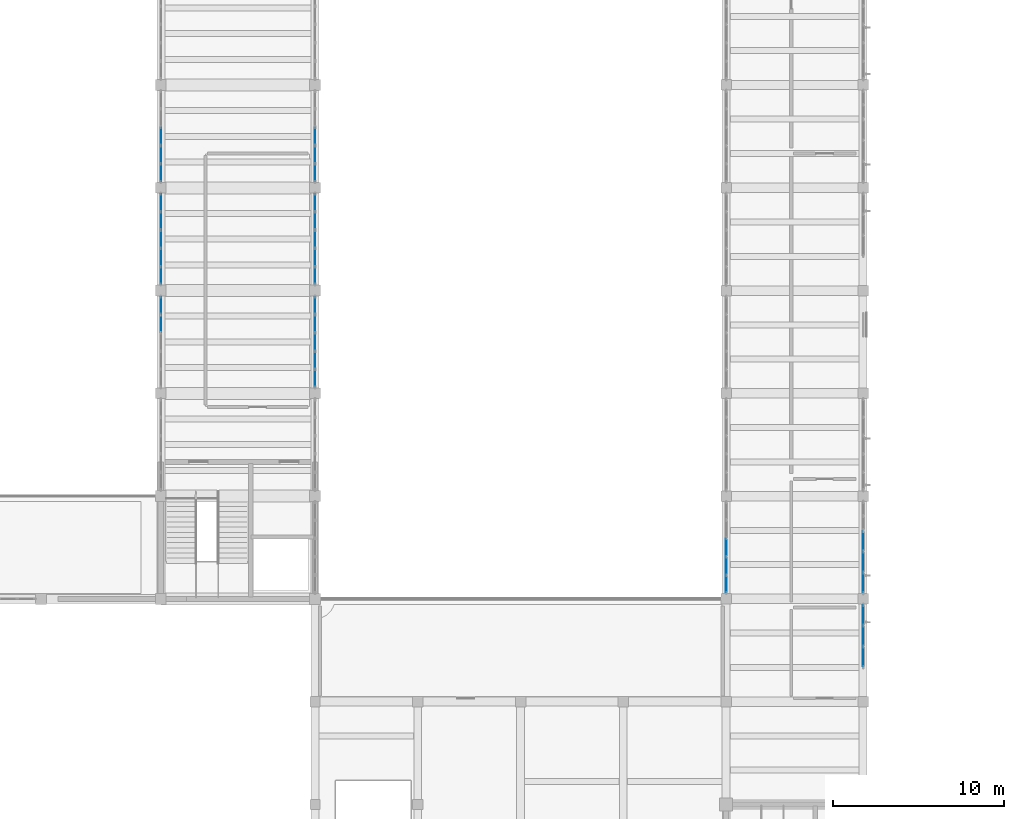
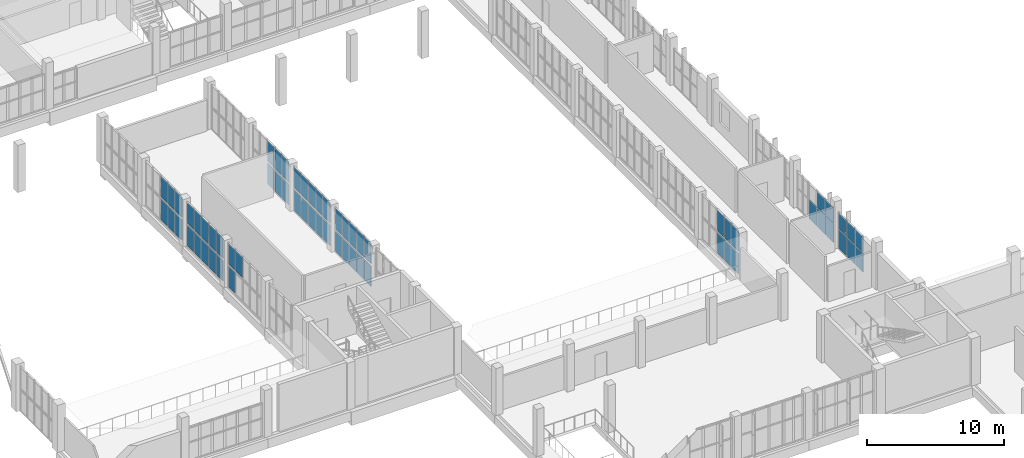
# One storey, part 47 of 85: 62 plates, 16 elements without a shape of their own.
"""IFC4 building model written with IfcOpenShell, lengths in metres."""

from ifc_helpers import new_model, si_unit, direction, frame, origin, origin_2d, place, context, subcontext, project, spatial, rectangle, extrude, material, layer, layer_set, type_object, element, aggregate, save


model = new_model("IFC4")

# Units and contexts
model_context = context("Model", 3, precision=1e-05, world=origin(), true_north=direction((0.0, 1.0)))
body_context = subcontext(model_context, "Body", "Model", "MODEL_VIEW")
ifc_project = project(units=[si_unit("LENGTHUNIT", "METRE"), si_unit("AREAUNIT", "SQUARE_METRE"), si_unit("VOLUMEUNIT", "CUBIC_METRE"), si_unit("PLANEANGLEUNIT", "RADIAN"), si_unit("MASSUNIT", "GRAM", prefix="KILO")], contexts=[model_context])

# Site, building, storey
site_placement = place(None, origin())
site = spatial("IfcSite", under=ifc_project, at=site_placement, CompositionType="ELEMENT")
building_placement = place(site_placement, origin())
building = spatial("IfcBuilding", under=site, at=building_placement, Name="Solvane Community Centre", CompositionType="ELEMENT")
storey_placement = place(building_placement, frame((0.0, 0.0, 5.39990234375)))
storey = spatial("IfcBuildingStorey", under=building, at=storey_placement, Name="L01", CompositionType="ELEMENT", Elevation=5.39990234375)

# Curtain wall, plates
ifc_material_1 = material(Name="Anodised bronze aluminium AW-6063 T6", Category="aluminium")
ifc_layer_1 = layer(ifc_material_1, 0.18994140625)
ifc_layer_set_1 = layer_set([ifc_layer_1], Name="Anodised bronze aluminium AW-6063 T6")
curtain_wall_type_1 = type_object("IfcCurtainWallType", Name="Boulevard Bronze Vision Curtain Wall [37x32dm]", PredefinedType="NOTDEFINED", material=ifc_layer_set_1)
curtain_wall_1_placement = place(storey_placement, origin())
curtain_wall_1 = element("IfcCurtainWall", 1, at=curtain_wall_1_placement, inside=storey, type_object=curtain_wall_type_1, Name="Curtain Wall CW-L01-680_460-109", PredefinedType="NOTDEFINED")
ifc_material_2 = material(Name="Tempered low-E double glazing", Category="glass")
ifc_layer_2 = layer(ifc_material_2, 0.028076171875)
ifc_layer_set_2 = layer_set([ifc_layer_2], Name="Tempered low-E double glazing")
plate_type_1 = type_object("IfcPlateType", Name="Low-E Vision Glazing Panel 28mm [37x32dm]", PredefinedType="CURTAIN_PANEL", material=ifc_layer_set_2)
plate_1_placement = place(storey_placement, frame((68.0, 45.37158203125, 0.06005859375), z_axis=(0.0, 0.0, 1.0), x_axis=(0.0, -1.0, 0.0)))
plate_1 = element("IfcPlate", 2, at=plate_1_placement, type_object=plate_type_1, Name="CW02-37x32 panel 1.1", PredefinedType="CURTAIN_PANEL", context=body_context, shape_type="SweptSolid", body=[
    extrude(rectangle(XDim=1.13671875, YDim=0.028076171875, at=origin_2d()), origin(), (0.0, 0.0, 1.0), 1.695068359375),
])
plate_2_placement = place(storey_placement, frame((68.0, 44.159912109375, 0.06005859375), z_axis=(0.0, 0.0, 1.0), x_axis=(0.0, -1.0, 0.0)))
plate_2 = element("IfcPlate", 3, at=plate_2_placement, type_object=plate_type_1, Name="CW02-37x32 panel 2.1", PredefinedType="CURTAIN_PANEL", context=body_context, shape_type="SweptSolid", body=[
    extrude(rectangle(XDim=1.166748046875, YDim=0.028076171875, at=origin_2d()), origin(), (0.0, 0.0, 1.0), 1.695068359375),
])
plate_3_placement = place(storey_placement, frame((68.0, 44.159912109375, 1.81494140625), z_axis=(0.0, 0.0, 1.0), x_axis=(0.0, -1.0, 0.0)))
plate_3 = element("IfcPlate", 4, at=plate_3_placement, type_object=plate_type_1, Name="CW02-37x32 panel 2.2", PredefinedType="CURTAIN_PANEL", context=body_context, shape_type="SweptSolid", body=[
    extrude(rectangle(XDim=1.166748046875, YDim=0.028076171875, at=origin_2d()), origin(), (0.0, 0.0, 1.0), 1.3701171875),
])
plate_4_placement = place(storey_placement, frame((68.0, 42.9482421875, 0.06005859375), z_axis=(0.0, 0.0, 1.0), x_axis=(0.0, -1.0, 0.0)))
plate_4 = element("IfcPlate", 5, at=plate_4_placement, type_object=plate_type_1, Name="CW02-37x32 panel 3.1", PredefinedType="CURTAIN_PANEL", context=body_context, shape_type="SweptSolid", body=[
    extrude(rectangle(XDim=1.13671875, YDim=0.028076171875, at=origin_2d()), origin(), (0.0, 0.0, 1.0), 1.695068359375),
])
plate_5_placement = place(storey_placement, frame((68.0, 42.9482421875, 1.81494140625), z_axis=(0.0, 0.0, 1.0), x_axis=(0.0, -1.0, 0.0)))
plate_5 = element("IfcPlate", 6, at=plate_5_placement, type_object=plate_type_1, Name="CW02-37x32 panel 3.2", PredefinedType="CURTAIN_PANEL", context=body_context, shape_type="SweptSolid", body=[
    extrude(rectangle(XDim=1.13671875, YDim=0.028076171875, at=origin_2d()), origin(), (0.0, 0.0, 1.0), 1.3701171875),
])
aggregate(curtain_wall_1, [plate_1, plate_2, plate_3, plate_4, plate_5])

curtain_wall_2_placement = place(storey_placement, origin())
curtain_wall_2 = element("IfcCurtainWall", 7, at=curtain_wall_2_placement, inside=storey, type_object=curtain_wall_type_1, Name="Curtain Wall CW-L01-680_417-110", PredefinedType="NOTDEFINED")
plate_6_placement = place(storey_placement, frame((68.0, 41.0517578125, 0.06005859375), z_axis=(0.0, 0.0, 1.0), x_axis=(0.0, -1.0, 0.0)))
plate_6 = element("IfcPlate", 8, at=plate_6_placement, type_object=plate_type_1, Name="CW02-37x32 panel 1.1", PredefinedType="CURTAIN_PANEL", context=body_context, shape_type="SweptSolid", body=[
    extrude(rectangle(XDim=1.13671875, YDim=0.028076171875, at=origin_2d()), origin(), (0.0, 0.0, 1.0), 1.695068359375),
])
plate_7_placement = place(storey_placement, frame((68.0, 41.0517578125, 1.81494140625), z_axis=(0.0, 0.0, 1.0), x_axis=(0.0, -1.0, 0.0)))
plate_7 = element("IfcPlate", 9, at=plate_7_placement, type_object=plate_type_1, Name="CW02-37x32 panel 1.2", PredefinedType="CURTAIN_PANEL", context=body_context, shape_type="SweptSolid", body=[
    extrude(rectangle(XDim=1.13671875, YDim=0.028076171875, at=origin_2d()), origin(), (0.0, 0.0, 1.0), 1.3701171875),
])
plate_8_placement = place(storey_placement, frame((68.0, 39.840087890625, 0.06005859375), z_axis=(0.0, 0.0, 1.0), x_axis=(0.0, -1.0, 0.0)))
plate_8 = element("IfcPlate", 10, at=plate_8_placement, type_object=plate_type_1, Name="CW02-37x32 panel 2.1", PredefinedType="CURTAIN_PANEL", context=body_context, shape_type="SweptSolid", body=[
    extrude(rectangle(XDim=1.166748046875, YDim=0.028076171875, at=origin_2d()), origin(), (0.0, 0.0, 1.0), 1.695068359375),
])
plate_9_placement = place(storey_placement, frame((68.0, 39.840087890625, 1.81494140625), z_axis=(0.0, 0.0, 1.0), x_axis=(0.0, -1.0, 0.0)))
plate_9 = element("IfcPlate", 11, at=plate_9_placement, type_object=plate_type_1, Name="CW02-37x32 panel 2.2", PredefinedType="CURTAIN_PANEL", context=body_context, shape_type="SweptSolid", body=[
    extrude(rectangle(XDim=1.166748046875, YDim=0.028076171875, at=origin_2d()), origin(), (0.0, 0.0, 1.0), 1.3701171875),
])
plate_10_placement = place(storey_placement, frame((68.0, 38.62841796875, 0.06005859375), z_axis=(0.0, 0.0, 1.0), x_axis=(0.0, -1.0, 0.0)))
plate_10 = element("IfcPlate", 12, at=plate_10_placement, type_object=plate_type_1, Name="CW02-37x32 panel 3.1", PredefinedType="CURTAIN_PANEL", context=body_context, shape_type="SweptSolid", body=[
    extrude(rectangle(XDim=1.13671875, YDim=0.028076171875, at=origin_2d()), origin(), (0.0, 0.0, 1.0), 1.695068359375),
])
plate_11_placement = place(storey_placement, frame((68.0, 38.62841796875, 1.81494140625), z_axis=(0.0, 0.0, 1.0), x_axis=(0.0, -1.0, 0.0)))
plate_11 = element("IfcPlate", 13, at=plate_11_placement, type_object=plate_type_1, Name="CW02-37x32 panel 3.2", PredefinedType="CURTAIN_PANEL", context=body_context, shape_type="SweptSolid", body=[
    extrude(rectangle(XDim=1.13671875, YDim=0.028076171875, at=origin_2d()), origin(), (0.0, 0.0, 1.0), 1.3701171875),
])
aggregate(curtain_wall_2, [plate_6, plate_7, plate_8, plate_9, plate_10, plate_11])

ifc_layer_3 = layer(ifc_material_1, 0.179931640625)
ifc_layer_set_3 = layer_set([ifc_layer_3], Name="Anodised bronze aluminium AW-6063 T6")
curtain_wall_type_2 = type_object("IfcCurtainWallType", Name="Hall Translucent Upper Curtain Wall [53x19dm]", PredefinedType="NOTDEFINED", material=ifc_layer_set_3)
curtain_wall_3_placement = place(storey_placement, origin())
curtain_wall_3 = element("IfcCurtainWall", 14, at=curtain_wall_3_placement, inside=storey, type_object=curtain_wall_type_2, Name="Curtain Wall CW-L01-360_543-043", PredefinedType="NOTDEFINED")
ifc_material_3 = material(Name="Translucent polycarbonate panel")
ifc_layer_4 = layer(ifc_material_3, 0.028076171875)
ifc_layer_set_4 = layer_set([ifc_layer_4], Name="Translucent polycarbonate panel")
plate_type_2 = type_object("IfcPlateType", Name="Translucent Polycarbonate Panel 28mm [53x19dm]", PredefinedType="CURTAIN_PANEL", material=ifc_layer_set_4)
plate_12_placement = place(storey_placement, frame((36.0, 54.87890625, 0.06005859375), z_axis=(0.0, 0.0, 1.0), x_axis=(0.0, 1.0, 0.0)))
plate_12 = element("IfcPlate", 15, at=plate_12_placement, type_object=plate_type_2, Name="CW01-53x19 panel 1.1", PredefinedType="CURTAIN_PANEL", context=body_context, shape_type="SweptSolid", body=[
    extrude(rectangle(XDim=0.97802734375, YDim=0.028076171875, at=origin_2d()), origin(), (0.0, 0.0, 1.0), 1.830078125),
])
plate_13_placement = place(storey_placement, frame((36.0, 55.931884765625, 0.06005859375), z_axis=(0.0, 0.0, 1.0), x_axis=(0.0, 1.0, 0.0)))
plate_13 = element("IfcPlate", 16, at=plate_13_placement, type_object=plate_type_2, Name="CW01-53x19 panel 2.1", PredefinedType="CURTAIN_PANEL", context=body_context, shape_type="SweptSolid", body=[
    extrude(rectangle(XDim=1.008056640625, YDim=0.028076171875, at=origin_2d()), origin(), (0.0, 0.0, 1.0), 1.830078125),
])
plate_14_placement = place(storey_placement, frame((36.0, 57.0, 0.06005859375), z_axis=(0.0, 0.0, 1.0), x_axis=(0.0, 1.0, 0.0)))
plate_14 = element("IfcPlate", 17, at=plate_14_placement, type_object=plate_type_2, Name="CW01-53x19 panel 3.1", PredefinedType="CURTAIN_PANEL", context=body_context, shape_type="SweptSolid", body=[
    extrude(rectangle(XDim=1.008056640625, YDim=0.028076171875, at=origin_2d()), origin(), (0.0, 0.0, 1.0), 1.830078125),
])
plate_15_placement = place(storey_placement, frame((36.0, 58.068115234375, 0.06005859375), z_axis=(0.0, 0.0, 1.0), x_axis=(0.0, 1.0, 0.0)))
plate_15 = element("IfcPlate", 18, at=plate_15_placement, type_object=plate_type_2, Name="CW01-53x19 panel 4.1", PredefinedType="CURTAIN_PANEL", context=body_context, shape_type="SweptSolid", body=[
    extrude(rectangle(XDim=1.008056640625, YDim=0.028076171875, at=origin_2d()), origin(), (0.0, 0.0, 1.0), 1.830078125),
])
plate_16_placement = place(storey_placement, frame((36.0, 59.12109375, 0.06005859375), z_axis=(0.0, 0.0, 1.0), x_axis=(0.0, 1.0, 0.0)))
plate_16 = element("IfcPlate", 19, at=plate_16_placement, type_object=plate_type_2, Name="CW01-53x19 panel 5.1", PredefinedType="CURTAIN_PANEL", context=body_context, shape_type="SweptSolid", body=[
    extrude(rectangle(XDim=0.97802734375, YDim=0.028076171875, at=origin_2d()), origin(), (0.0, 0.0, 1.0), 1.830078125),
])
aggregate(curtain_wall_3, [plate_12, plate_13, plate_14, plate_15, plate_16])

# Curtain wall, plate
curtain_wall_4_placement = place(storey_placement, origin())
curtain_wall_4 = element("IfcCurtainWall", 20, at=curtain_wall_4_placement, inside=storey, type_object=curtain_wall_type_2, Name="Curtain Wall CW-L01-270_597-047", PredefinedType="NOTDEFINED")
plate_17_placement = place(storey_placement, frame((27.0, 59.12109375, 0.06005859375), z_axis=(0.0, 0.0, 1.0), x_axis=(0.0, -1.0, 0.0)))
plate_17 = element("IfcPlate", 21, at=plate_17_placement, type_object=plate_type_2, Name="CW01-53x19 panel 1.1", PredefinedType="CURTAIN_PANEL", context=body_context, shape_type="SweptSolid", body=[
    extrude(rectangle(XDim=0.97802734375, YDim=0.028076171875, at=origin_2d()), origin(), (0.0, 0.0, 1.0), 1.830078125),
])
aggregate(curtain_wall_4, [plate_17])

# Curtain wall, plates
curtain_wall_5_placement = place(storey_placement, origin())
curtain_wall_5 = element("IfcCurtainWall", 22, at=curtain_wall_5_placement, inside=storey, type_object=curtain_wall_type_2, Name="Curtain Wall CW-L01-360_603-049", PredefinedType="NOTDEFINED")
plate_18_placement = place(storey_placement, frame((36.0, 60.87890625, 0.06005859375), z_axis=(0.0, 0.0, 1.0), x_axis=(0.0, 1.0, 0.0)))
plate_18 = element("IfcPlate", 23, at=plate_18_placement, type_object=plate_type_2, Name="CW01-53x19 panel 1.1", PredefinedType="CURTAIN_PANEL", context=body_context, shape_type="SweptSolid", body=[
    extrude(rectangle(XDim=0.97802734375, YDim=0.028076171875, at=origin_2d()), origin(), (0.0, 0.0, 1.0), 1.830078125),
])
plate_19_placement = place(storey_placement, frame((36.0, 61.931884765625, 0.06005859375), z_axis=(0.0, 0.0, 1.0), x_axis=(0.0, 1.0, 0.0)))
plate_19 = element("IfcPlate", 24, at=plate_19_placement, type_object=plate_type_2, Name="CW01-53x19 panel 2.1", PredefinedType="CURTAIN_PANEL", context=body_context, shape_type="SweptSolid", body=[
    extrude(rectangle(XDim=1.008056640625, YDim=0.028076171875, at=origin_2d()), origin(), (0.0, 0.0, 1.0), 1.830078125),
])
plate_20_placement = place(storey_placement, frame((36.0, 63.0, 0.06005859375), z_axis=(0.0, 0.0, 1.0), x_axis=(0.0, 1.0, 0.0)))
plate_20 = element("IfcPlate", 25, at=plate_20_placement, type_object=plate_type_2, Name="CW01-53x19 panel 3.1", PredefinedType="CURTAIN_PANEL", context=body_context, shape_type="SweptSolid", body=[
    extrude(rectangle(XDim=1.008056640625, YDim=0.028076171875, at=origin_2d()), origin(), (0.0, 0.0, 1.0), 1.830078125),
])
plate_21_placement = place(storey_placement, frame((36.0, 64.068115234375, 0.06005859375), z_axis=(0.0, 0.0, 1.0), x_axis=(0.0, 1.0, 0.0)))
plate_21 = element("IfcPlate", 26, at=plate_21_placement, type_object=plate_type_2, Name="CW01-53x19 panel 4.1", PredefinedType="CURTAIN_PANEL", context=body_context, shape_type="SweptSolid", body=[
    extrude(rectangle(XDim=1.008056640625, YDim=0.028076171875, at=origin_2d()), origin(), (0.0, 0.0, 1.0), 1.830078125),
])
plate_22_placement = place(storey_placement, frame((36.0, 65.12109375, 0.06005859375), z_axis=(0.0, 0.0, 1.0), x_axis=(0.0, 1.0, 0.0)))
plate_22 = element("IfcPlate", 27, at=plate_22_placement, type_object=plate_type_2, Name="CW01-53x19 panel 5.1", PredefinedType="CURTAIN_PANEL", context=body_context, shape_type="SweptSolid", body=[
    extrude(rectangle(XDim=0.97802734375, YDim=0.028076171875, at=origin_2d()), origin(), (0.0, 0.0, 1.0), 1.830078125),
])
aggregate(curtain_wall_5, [plate_18, plate_19, plate_20, plate_21, plate_22])

curtain_wall_6_placement = place(storey_placement, origin())
curtain_wall_6 = element("IfcCurtainWall", 28, at=curtain_wall_6_placement, inside=storey, type_object=curtain_wall_type_2, Name="Curtain Wall CW-L01-270_657-055", PredefinedType="NOTDEFINED")
plate_23_placement = place(storey_placement, frame((27.0, 65.12109375, 0.06005859375), z_axis=(0.0, 0.0, 1.0), x_axis=(0.0, -1.0, 0.0)))
plate_23 = element("IfcPlate", 29, at=plate_23_placement, type_object=plate_type_2, Name="CW01-53x19 panel 1.1", PredefinedType="CURTAIN_PANEL", context=body_context, shape_type="SweptSolid", body=[
    extrude(rectangle(XDim=0.97802734375, YDim=0.028076171875, at=origin_2d()), origin(), (0.0, 0.0, 1.0), 1.830078125),
])
plate_24_placement = place(storey_placement, frame((27.0, 64.068115234375, 0.06005859375), z_axis=(0.0, 0.0, 1.0), x_axis=(0.0, -1.0, 0.0)))
plate_24 = element("IfcPlate", 30, at=plate_24_placement, type_object=plate_type_2, Name="CW01-53x19 panel 2.1", PredefinedType="CURTAIN_PANEL", context=body_context, shape_type="SweptSolid", body=[
    extrude(rectangle(XDim=1.008056640625, YDim=0.028076171875, at=origin_2d()), origin(), (0.0, 0.0, 1.0), 1.830078125),
])
plate_25_placement = place(storey_placement, frame((27.0, 63.0, 0.06005859375), z_axis=(0.0, 0.0, 1.0), x_axis=(0.0, -1.0, 0.0)))
plate_25 = element("IfcPlate", 31, at=plate_25_placement, type_object=plate_type_2, Name="CW01-53x19 panel 3.1", PredefinedType="CURTAIN_PANEL", context=body_context, shape_type="SweptSolid", body=[
    extrude(rectangle(XDim=1.008056640625, YDim=0.028076171875, at=origin_2d()), origin(), (0.0, 0.0, 1.0), 1.830078125),
])
plate_26_placement = place(storey_placement, frame((27.0, 61.931884765625, 0.06005859375), z_axis=(0.0, 0.0, 1.0), x_axis=(0.0, -1.0, 0.0)))
plate_26 = element("IfcPlate", 32, at=plate_26_placement, type_object=plate_type_2, Name="CW01-53x19 panel 4.1", PredefinedType="CURTAIN_PANEL", context=body_context, shape_type="SweptSolid", body=[
    extrude(rectangle(XDim=1.008056640625, YDim=0.028076171875, at=origin_2d()), origin(), (0.0, 0.0, 1.0), 1.830078125),
])
plate_27_placement = place(storey_placement, frame((27.0, 60.87890625, 0.06005859375), z_axis=(0.0, 0.0, 1.0), x_axis=(0.0, -1.0, 0.0)))
plate_27 = element("IfcPlate", 33, at=plate_27_placement, type_object=plate_type_2, Name="CW01-53x19 panel 5.1", PredefinedType="CURTAIN_PANEL", context=body_context, shape_type="SweptSolid", body=[
    extrude(rectangle(XDim=0.97802734375, YDim=0.028076171875, at=origin_2d()), origin(), (0.0, 0.0, 1.0), 1.830078125),
])
aggregate(curtain_wall_6, [plate_23, plate_24, plate_25, plate_26, plate_27])

curtain_wall_7_placement = place(storey_placement, origin())
curtain_wall_7 = element("IfcCurtainWall", 34, at=curtain_wall_7_placement, inside=storey, type_object=curtain_wall_type_2, Name="Curtain Wall CW-L01-360_663-057", PredefinedType="NOTDEFINED")
plate_28_placement = place(storey_placement, frame((36.0, 66.87890625, 0.06005859375), z_axis=(0.0, 0.0, 1.0), x_axis=(0.0, 1.0, 0.0)))
plate_28 = element("IfcPlate", 35, at=plate_28_placement, type_object=plate_type_2, Name="CW01-53x19 panel 1.1", PredefinedType="CURTAIN_PANEL", context=body_context, shape_type="SweptSolid", body=[
    extrude(rectangle(XDim=0.97802734375, YDim=0.028076171875, at=origin_2d()), origin(), (0.0, 0.0, 1.0), 1.830078125),
])
plate_29_placement = place(storey_placement, frame((36.0, 67.931884765625, 0.06005859375), z_axis=(0.0, 0.0, 1.0), x_axis=(0.0, 1.0, 0.0)))
plate_29 = element("IfcPlate", 36, at=plate_29_placement, type_object=plate_type_2, Name="CW01-53x19 panel 2.1", PredefinedType="CURTAIN_PANEL", context=body_context, shape_type="SweptSolid", body=[
    extrude(rectangle(XDim=1.008056640625, YDim=0.028076171875, at=origin_2d()), origin(), (0.0, 0.0, 1.0), 1.830078125),
])
plate_30_placement = place(storey_placement, frame((36.0, 69.0, 0.06005859375), z_axis=(0.0, 0.0, 1.0), x_axis=(0.0, 1.0, 0.0)))
plate_30 = element("IfcPlate", 37, at=plate_30_placement, type_object=plate_type_2, Name="CW01-53x19 panel 3.1", PredefinedType="CURTAIN_PANEL", context=body_context, shape_type="SweptSolid", body=[
    extrude(rectangle(XDim=1.008056640625, YDim=0.028076171875, at=origin_2d()), origin(), (0.0, 0.0, 1.0), 1.830078125),
])
aggregate(curtain_wall_7, [plate_28, plate_29, plate_30])

curtain_wall_8_placement = place(storey_placement, origin())
curtain_wall_8 = element("IfcCurtainWall", 38, at=curtain_wall_8_placement, inside=storey, type_object=curtain_wall_type_2, Name="Curtain Wall CW-L01-270_717-063", PredefinedType="NOTDEFINED")
plate_31_placement = place(storey_placement, frame((27.0, 69.0, 0.06005859375), z_axis=(0.0, 0.0, 1.0), x_axis=(0.0, -1.0, 0.0)))
plate_31 = element("IfcPlate", 39, at=plate_31_placement, type_object=plate_type_2, Name="CW01-53x19 panel 3.1", PredefinedType="CURTAIN_PANEL", context=body_context, shape_type="SweptSolid", body=[
    extrude(rectangle(XDim=1.008056640625, YDim=0.028076171875, at=origin_2d()), origin(), (0.0, 0.0, 1.0), 1.830078125),
])
plate_32_placement = place(storey_placement, frame((27.0, 67.931884765625, 0.06005859375), z_axis=(0.0, 0.0, 1.0), x_axis=(0.0, -1.0, 0.0)))
plate_32 = element("IfcPlate", 40, at=plate_32_placement, type_object=plate_type_2, Name="CW01-53x19 panel 4.1", PredefinedType="CURTAIN_PANEL", context=body_context, shape_type="SweptSolid", body=[
    extrude(rectangle(XDim=1.008056640625, YDim=0.028076171875, at=origin_2d()), origin(), (0.0, 0.0, 1.0), 1.830078125),
])
plate_33_placement = place(storey_placement, frame((27.0, 66.87890625, 0.06005859375), z_axis=(0.0, 0.0, 1.0), x_axis=(0.0, -1.0, 0.0)))
plate_33 = element("IfcPlate", 41, at=plate_33_placement, type_object=plate_type_2, Name="CW01-53x19 panel 5.1", PredefinedType="CURTAIN_PANEL", context=body_context, shape_type="SweptSolid", body=[
    extrude(rectangle(XDim=0.97802734375, YDim=0.028076171875, at=origin_2d()), origin(), (0.0, 0.0, 1.0), 1.830078125),
])
aggregate(curtain_wall_8, [plate_31, plate_32, plate_33])

ifc_layer_5 = layer(ifc_material_1, 0.179931640625)
ifc_layer_set_5 = layer_set([ifc_layer_5], Name="Anodised bronze aluminium AW-6063 T6")
curtain_wall_type_3 = type_object("IfcCurtainWallType", Name="Hall Translucent Upper Curtain Wall [53x20dm]", PredefinedType="NOTDEFINED", material=ifc_layer_set_5)
curtain_wall_9_placement = place(storey_placement, origin())
curtain_wall_9 = element("IfcCurtainWall", 42, at=curtain_wall_9_placement, inside=storey, type_object=curtain_wall_type_3, Name="Curtain Wall CW-L01-360_543-044", PredefinedType="NOTDEFINED")
ifc_layer_6 = layer(ifc_material_3, 0.028076171875)
ifc_layer_set_6 = layer_set([ifc_layer_6], Name="Translucent polycarbonate panel")
plate_type_3 = type_object("IfcPlateType", Name="Translucent Polycarbonate Panel 28mm [53x20dm]", PredefinedType="CURTAIN_PANEL", material=ifc_layer_set_6)
plate_34_placement = place(storey_placement, frame((36.0, 54.87890625, 2.080078125), z_axis=(0.0, 0.0, 1.0), x_axis=(0.0, 1.0, 0.0)))
plate_34 = element("IfcPlate", 43, at=plate_34_placement, type_object=plate_type_3, Name="CW01-53x20 panel 1.1", PredefinedType="CURTAIN_PANEL", context=body_context, shape_type="SweptSolid", body=[
    extrude(rectangle(XDim=0.97802734375, YDim=0.028076171875, at=origin_2d()), origin(), (0.0, 0.0, 1.0), 1.840087890625),
])
plate_35_placement = place(storey_placement, frame((36.0, 55.931884765625, 2.080078125), z_axis=(0.0, 0.0, 1.0), x_axis=(0.0, 1.0, 0.0)))
plate_35 = element("IfcPlate", 44, at=plate_35_placement, type_object=plate_type_3, Name="CW01-53x20 panel 2.1", PredefinedType="CURTAIN_PANEL", context=body_context, shape_type="SweptSolid", body=[
    extrude(rectangle(XDim=1.008056640625, YDim=0.028076171875, at=origin_2d()), origin(), (0.0, 0.0, 1.0), 1.840087890625),
])
plate_36_placement = place(storey_placement, frame((36.0, 57.0, 2.080078125), z_axis=(0.0, 0.0, 1.0), x_axis=(0.0, 1.0, 0.0)))
plate_36 = element("IfcPlate", 45, at=plate_36_placement, type_object=plate_type_3, Name="CW01-53x20 panel 3.1", PredefinedType="CURTAIN_PANEL", context=body_context, shape_type="SweptSolid", body=[
    extrude(rectangle(XDim=1.008056640625, YDim=0.028076171875, at=origin_2d()), origin(), (0.0, 0.0, 1.0), 1.840087890625),
])
plate_37_placement = place(storey_placement, frame((36.0, 58.068115234375, 2.080078125), z_axis=(0.0, 0.0, 1.0), x_axis=(0.0, 1.0, 0.0)))
plate_37 = element("IfcPlate", 46, at=plate_37_placement, type_object=plate_type_3, Name="CW01-53x20 panel 4.1", PredefinedType="CURTAIN_PANEL", context=body_context, shape_type="SweptSolid", body=[
    extrude(rectangle(XDim=1.008056640625, YDim=0.028076171875, at=origin_2d()), origin(), (0.0, 0.0, 1.0), 1.840087890625),
])
plate_38_placement = place(storey_placement, frame((36.0, 59.12109375, 2.080078125), z_axis=(0.0, 0.0, 1.0), x_axis=(0.0, 1.0, 0.0)))
plate_38 = element("IfcPlate", 47, at=plate_38_placement, type_object=plate_type_3, Name="CW01-53x20 panel 5.1", PredefinedType="CURTAIN_PANEL", context=body_context, shape_type="SweptSolid", body=[
    extrude(rectangle(XDim=0.97802734375, YDim=0.028076171875, at=origin_2d()), origin(), (0.0, 0.0, 1.0), 1.840087890625),
])
aggregate(curtain_wall_9, [plate_34, plate_35, plate_36, plate_37, plate_38])

curtain_wall_10_placement = place(storey_placement, origin())
curtain_wall_10 = element("IfcCurtainWall", 48, at=curtain_wall_10_placement, inside=storey, type_object=curtain_wall_type_3, Name="Curtain Wall CW-L01-270_597-048", PredefinedType="NOTDEFINED")
plate_39_placement = place(storey_placement, frame((27.0, 59.12109375, 2.080078125), z_axis=(0.0, 0.0, 1.0), x_axis=(0.0, -1.0, 0.0)))
plate_39 = element("IfcPlate", 49, at=plate_39_placement, type_object=plate_type_3, Name="CW01-53x20 panel 1.1", PredefinedType="CURTAIN_PANEL", context=body_context, shape_type="SweptSolid", body=[
    extrude(rectangle(XDim=0.97802734375, YDim=0.028076171875, at=origin_2d()), origin(), (0.0, 0.0, 1.0), 1.840087890625),
])
plate_40_placement = place(storey_placement, frame((27.0, 58.068115234375, 2.080078125), z_axis=(0.0, 0.0, 1.0), x_axis=(0.0, -1.0, 0.0)))
plate_40 = element("IfcPlate", 50, at=plate_40_placement, type_object=plate_type_3, Name="CW01-53x20 panel 2.1", PredefinedType="CURTAIN_PANEL", context=body_context, shape_type="SweptSolid", body=[
    extrude(rectangle(XDim=1.008056640625, YDim=0.028076171875, at=origin_2d()), origin(), (0.0, 0.0, 1.0), 1.840087890625),
])
aggregate(curtain_wall_10, [plate_39, plate_40])

curtain_wall_11_placement = place(storey_placement, origin())
curtain_wall_11 = element("IfcCurtainWall", 51, at=curtain_wall_11_placement, inside=storey, type_object=curtain_wall_type_3, Name="Curtain Wall CW-L01-360_603-050", PredefinedType="NOTDEFINED")
plate_41_placement = place(storey_placement, frame((36.0, 60.87890625, 2.080078125), z_axis=(0.0, 0.0, 1.0), x_axis=(0.0, 1.0, 0.0)))
plate_41 = element("IfcPlate", 52, at=plate_41_placement, type_object=plate_type_3, Name="CW01-53x20 panel 1.1", PredefinedType="CURTAIN_PANEL", context=body_context, shape_type="SweptSolid", body=[
    extrude(rectangle(XDim=0.97802734375, YDim=0.028076171875, at=origin_2d()), origin(), (0.0, 0.0, 1.0), 1.840087890625),
])
plate_42_placement = place(storey_placement, frame((36.0, 61.931884765625, 2.080078125), z_axis=(0.0, 0.0, 1.0), x_axis=(0.0, 1.0, 0.0)))
plate_42 = element("IfcPlate", 53, at=plate_42_placement, type_object=plate_type_3, Name="CW01-53x20 panel 2.1", PredefinedType="CURTAIN_PANEL", context=body_context, shape_type="SweptSolid", body=[
    extrude(rectangle(XDim=1.008056640625, YDim=0.028076171875, at=origin_2d()), origin(), (0.0, 0.0, 1.0), 1.840087890625),
])
plate_43_placement = place(storey_placement, frame((36.0, 63.0, 2.080078125), z_axis=(0.0, 0.0, 1.0), x_axis=(0.0, 1.0, 0.0)))
plate_43 = element("IfcPlate", 54, at=plate_43_placement, type_object=plate_type_3, Name="CW01-53x20 panel 3.1", PredefinedType="CURTAIN_PANEL", context=body_context, shape_type="SweptSolid", body=[
    extrude(rectangle(XDim=1.008056640625, YDim=0.028076171875, at=origin_2d()), origin(), (0.0, 0.0, 1.0), 1.840087890625),
])
plate_44_placement = place(storey_placement, frame((36.0, 64.068115234375, 2.080078125), z_axis=(0.0, 0.0, 1.0), x_axis=(0.0, 1.0, 0.0)))
plate_44 = element("IfcPlate", 55, at=plate_44_placement, type_object=plate_type_3, Name="CW01-53x20 panel 4.1", PredefinedType="CURTAIN_PANEL", context=body_context, shape_type="SweptSolid", body=[
    extrude(rectangle(XDim=1.008056640625, YDim=0.028076171875, at=origin_2d()), origin(), (0.0, 0.0, 1.0), 1.840087890625),
])
plate_45_placement = place(storey_placement, frame((36.0, 65.12109375, 2.080078125), z_axis=(0.0, 0.0, 1.0), x_axis=(0.0, 1.0, 0.0)))
plate_45 = element("IfcPlate", 56, at=plate_45_placement, type_object=plate_type_3, Name="CW01-53x20 panel 5.1", PredefinedType="CURTAIN_PANEL", context=body_context, shape_type="SweptSolid", body=[
    extrude(rectangle(XDim=0.97802734375, YDim=0.028076171875, at=origin_2d()), origin(), (0.0, 0.0, 1.0), 1.840087890625),
])
aggregate(curtain_wall_11, [plate_41, plate_42, plate_43, plate_44, plate_45])

curtain_wall_12_placement = place(storey_placement, origin())
curtain_wall_12 = element("IfcCurtainWall", 57, at=curtain_wall_12_placement, inside=storey, type_object=curtain_wall_type_3, Name="Curtain Wall CW-L01-270_657-056", PredefinedType="NOTDEFINED")
plate_46_placement = place(storey_placement, frame((27.0, 65.12109375, 2.080078125), z_axis=(0.0, 0.0, 1.0), x_axis=(0.0, -1.0, 0.0)))
plate_46 = element("IfcPlate", 58, at=plate_46_placement, type_object=plate_type_3, Name="CW01-53x20 panel 1.1", PredefinedType="CURTAIN_PANEL", context=body_context, shape_type="SweptSolid", body=[
    extrude(rectangle(XDim=0.97802734375, YDim=0.028076171875, at=origin_2d()), origin(), (0.0, 0.0, 1.0), 1.840087890625),
])
plate_47_placement = place(storey_placement, frame((27.0, 64.068115234375, 2.080078125), z_axis=(0.0, 0.0, 1.0), x_axis=(0.0, -1.0, 0.0)))
plate_47 = element("IfcPlate", 59, at=plate_47_placement, type_object=plate_type_3, Name="CW01-53x20 panel 2.1", PredefinedType="CURTAIN_PANEL", context=body_context, shape_type="SweptSolid", body=[
    extrude(rectangle(XDim=1.008056640625, YDim=0.028076171875, at=origin_2d()), origin(), (0.0, 0.0, 1.0), 1.840087890625),
])
plate_48_placement = place(storey_placement, frame((27.0, 63.0, 2.080078125), z_axis=(0.0, 0.0, 1.0), x_axis=(0.0, -1.0, 0.0)))
plate_48 = element("IfcPlate", 60, at=plate_48_placement, type_object=plate_type_3, Name="CW01-53x20 panel 3.1", PredefinedType="CURTAIN_PANEL", context=body_context, shape_type="SweptSolid", body=[
    extrude(rectangle(XDim=1.008056640625, YDim=0.028076171875, at=origin_2d()), origin(), (0.0, 0.0, 1.0), 1.840087890625),
])
plate_49_placement = place(storey_placement, frame((27.0, 61.931884765625, 2.080078125), z_axis=(0.0, 0.0, 1.0), x_axis=(0.0, -1.0, 0.0)))
plate_49 = element("IfcPlate", 61, at=plate_49_placement, type_object=plate_type_3, Name="CW01-53x20 panel 4.1", PredefinedType="CURTAIN_PANEL", context=body_context, shape_type="SweptSolid", body=[
    extrude(rectangle(XDim=1.008056640625, YDim=0.028076171875, at=origin_2d()), origin(), (0.0, 0.0, 1.0), 1.840087890625),
])
plate_50_placement = place(storey_placement, frame((27.0, 60.87890625, 2.080078125), z_axis=(0.0, 0.0, 1.0), x_axis=(0.0, -1.0, 0.0)))
plate_50 = element("IfcPlate", 62, at=plate_50_placement, type_object=plate_type_3, Name="CW01-53x20 panel 5.1", PredefinedType="CURTAIN_PANEL", context=body_context, shape_type="SweptSolid", body=[
    extrude(rectangle(XDim=0.97802734375, YDim=0.028076171875, at=origin_2d()), origin(), (0.0, 0.0, 1.0), 1.840087890625),
])
aggregate(curtain_wall_12, [plate_46, plate_47, plate_48, plate_49, plate_50])

curtain_wall_13_placement = place(storey_placement, origin())
curtain_wall_13 = element("IfcCurtainWall", 63, at=curtain_wall_13_placement, inside=storey, type_object=curtain_wall_type_3, Name="Curtain Wall CW-L01-360_663-058", PredefinedType="NOTDEFINED")
plate_51_placement = place(storey_placement, frame((36.0, 66.87890625, 2.080078125), z_axis=(0.0, 0.0, 1.0), x_axis=(0.0, 1.0, 0.0)))
plate_51 = element("IfcPlate", 64, at=plate_51_placement, type_object=plate_type_3, Name="CW01-53x20 panel 1.1", PredefinedType="CURTAIN_PANEL", context=body_context, shape_type="SweptSolid", body=[
    extrude(rectangle(XDim=0.97802734375, YDim=0.028076171875, at=origin_2d()), origin(), (0.0, 0.0, 1.0), 1.840087890625),
])
plate_52_placement = place(storey_placement, frame((36.0, 67.931884765625, 2.080078125), z_axis=(0.0, 0.0, 1.0), x_axis=(0.0, 1.0, 0.0)))
plate_52 = element("IfcPlate", 65, at=plate_52_placement, type_object=plate_type_3, Name="CW01-53x20 panel 2.1", PredefinedType="CURTAIN_PANEL", context=body_context, shape_type="SweptSolid", body=[
    extrude(rectangle(XDim=1.008056640625, YDim=0.028076171875, at=origin_2d()), origin(), (0.0, 0.0, 1.0), 1.840087890625),
])
plate_53_placement = place(storey_placement, frame((36.0, 69.0, 2.080078125), z_axis=(0.0, 0.0, 1.0), x_axis=(0.0, 1.0, 0.0)))
plate_53 = element("IfcPlate", 66, at=plate_53_placement, type_object=plate_type_3, Name="CW01-53x20 panel 3.1", PredefinedType="CURTAIN_PANEL", context=body_context, shape_type="SweptSolid", body=[
    extrude(rectangle(XDim=1.008056640625, YDim=0.028076171875, at=origin_2d()), origin(), (0.0, 0.0, 1.0), 1.840087890625),
])
aggregate(curtain_wall_13, [plate_51, plate_52, plate_53])

curtain_wall_14_placement = place(storey_placement, origin())
curtain_wall_14 = element("IfcCurtainWall", 67, at=curtain_wall_14_placement, inside=storey, type_object=curtain_wall_type_3, Name="Curtain Wall CW-L01-270_717-064", PredefinedType="NOTDEFINED")
plate_54_placement = place(storey_placement, frame((27.0, 69.0, 2.080078125), z_axis=(0.0, 0.0, 1.0), x_axis=(0.0, -1.0, 0.0)))
plate_54 = element("IfcPlate", 68, at=plate_54_placement, type_object=plate_type_3, Name="CW01-53x20 panel 3.1", PredefinedType="CURTAIN_PANEL", context=body_context, shape_type="SweptSolid", body=[
    extrude(rectangle(XDim=1.008056640625, YDim=0.028076171875, at=origin_2d()), origin(), (0.0, 0.0, 1.0), 1.840087890625),
])
plate_55_placement = place(storey_placement, frame((27.0, 67.931884765625, 2.080078125), z_axis=(0.0, 0.0, 1.0), x_axis=(0.0, -1.0, 0.0)))
plate_55 = element("IfcPlate", 69, at=plate_55_placement, type_object=plate_type_3, Name="CW01-53x20 panel 4.1", PredefinedType="CURTAIN_PANEL", context=body_context, shape_type="SweptSolid", body=[
    extrude(rectangle(XDim=1.008056640625, YDim=0.028076171875, at=origin_2d()), origin(), (0.0, 0.0, 1.0), 1.840087890625),
])
plate_56_placement = place(storey_placement, frame((27.0, 66.87890625, 2.080078125), z_axis=(0.0, 0.0, 1.0), x_axis=(0.0, -1.0, 0.0)))
plate_56 = element("IfcPlate", 70, at=plate_56_placement, type_object=plate_type_3, Name="CW01-53x20 panel 5.1", PredefinedType="CURTAIN_PANEL", context=body_context, shape_type="SweptSolid", body=[
    extrude(rectangle(XDim=0.97802734375, YDim=0.028076171875, at=origin_2d()), origin(), (0.0, 0.0, 1.0), 1.840087890625),
])
aggregate(curtain_wall_14, [plate_54, plate_55, plate_56])

ifc_layer_7 = layer(ifc_material_1, 0.179931640625)
ifc_layer_set_7 = layer_set([ifc_layer_7], Name="Anodised bronze aluminium AW-6063 T6")
curtain_wall_type_4 = type_object("IfcCurtainWallType", Name="Hall Translucent Upper Curtain Wall [54x19dm]", PredefinedType="NOTDEFINED", material=ifc_layer_set_7)
curtain_wall_15_placement = place(storey_placement, origin())
curtain_wall_15 = element("IfcCurtainWall", 71, at=curtain_wall_15_placement, inside=storey, type_object=curtain_wall_type_4, Name="Curtain Wall CW-L01-600_477-033", PredefinedType="NOTDEFINED")
ifc_layer_8 = layer(ifc_material_3, 0.028076171875)
ifc_layer_set_8 = layer_set([ifc_layer_8], Name="Translucent polycarbonate panel")
plate_type_4 = type_object("IfcPlateType", Name="Translucent Polycarbonate Panel 28mm [54x19dm]", PredefinedType="CURTAIN_PANEL", material=ifc_layer_set_8)
plate_57_placement = place(storey_placement, frame((60.0, 45.0, 0.06005859375), z_axis=(0.0, 0.0, 1.0), x_axis=(0.0, -1.0, 0.0)))
plate_57 = element("IfcPlate", 72, at=plate_57_placement, type_object=plate_type_4, Name="CW01-54x19 panel 3.1", PredefinedType="CURTAIN_PANEL", context=body_context, shape_type="SweptSolid", body=[
    extrude(rectangle(XDim=1.011962890625, YDim=0.028076171875, at=origin_2d()), origin(), (0.0, 0.0, 1.0), 1.830078125),
])
plate_58_placement = place(storey_placement, frame((60.0, 43.927978515625, 0.06005859375), z_axis=(0.0, 0.0, 1.0), x_axis=(0.0, -1.0, 0.0)))
plate_58 = element("IfcPlate", 73, at=plate_58_placement, type_object=plate_type_4, Name="CW01-54x19 panel 4.1", PredefinedType="CURTAIN_PANEL", context=body_context, shape_type="SweptSolid", body=[
    extrude(rectangle(XDim=1.011962890625, YDim=0.028076171875, at=origin_2d()), origin(), (0.0, 0.0, 1.0), 1.830078125),
])
plate_59_placement = place(storey_placement, frame((60.0, 42.87109375, 0.06005859375), z_axis=(0.0, 0.0, 1.0), x_axis=(0.0, -1.0, 0.0)))
plate_59 = element("IfcPlate", 74, at=plate_59_placement, type_object=plate_type_4, Name="CW01-54x19 panel 5.1", PredefinedType="CURTAIN_PANEL", context=body_context, shape_type="SweptSolid", body=[
    extrude(rectangle(XDim=0.98193359375, YDim=0.028076171875, at=origin_2d()), origin(), (0.0, 0.0, 1.0), 1.830078125),
])
aggregate(curtain_wall_15, [plate_57, plate_58, plate_59])

ifc_layer_9 = layer(ifc_material_1, 0.179931640625)
ifc_layer_set_9 = layer_set([ifc_layer_9], Name="Anodised bronze aluminium AW-6063 T6")
curtain_wall_type_5 = type_object("IfcCurtainWallType", Name="Hall Translucent Upper Curtain Wall [54x20dm]", PredefinedType="NOTDEFINED", material=ifc_layer_set_9)
curtain_wall_16_placement = place(storey_placement, origin())
curtain_wall_16 = element("IfcCurtainWall", 75, at=curtain_wall_16_placement, inside=storey, type_object=curtain_wall_type_5, Name="Curtain Wall CW-L01-600_477-034", PredefinedType="NOTDEFINED")
ifc_layer_10 = layer(ifc_material_3, 0.028076171875)
ifc_layer_set_10 = layer_set([ifc_layer_10], Name="Translucent polycarbonate panel")
plate_type_5 = type_object("IfcPlateType", Name="Translucent Polycarbonate Panel 28mm [54x20dm]", PredefinedType="CURTAIN_PANEL", material=ifc_layer_set_10)
plate_60_placement = place(storey_placement, frame((60.0, 45.0, 2.080078125), z_axis=(0.0, 0.0, 1.0), x_axis=(0.0, -1.0, 0.0)))
plate_60 = element("IfcPlate", 76, at=plate_60_placement, type_object=plate_type_5, Name="CW01-54x20 panel 3.1", PredefinedType="CURTAIN_PANEL", context=body_context, shape_type="SweptSolid", body=[
    extrude(rectangle(XDim=1.011962890625, YDim=0.028076171875, at=origin_2d()), origin(), (0.0, 0.0, 1.0), 1.840087890625),
])
plate_61_placement = place(storey_placement, frame((60.0, 43.927978515625, 2.080078125), z_axis=(0.0, 0.0, 1.0), x_axis=(0.0, -1.0, 0.0)))
plate_61 = element("IfcPlate", 77, at=plate_61_placement, type_object=plate_type_5, Name="CW01-54x20 panel 4.1", PredefinedType="CURTAIN_PANEL", context=body_context, shape_type="SweptSolid", body=[
    extrude(rectangle(XDim=1.011962890625, YDim=0.028076171875, at=origin_2d()), origin(), (0.0, 0.0, 1.0), 1.840087890625),
])
plate_62_placement = place(storey_placement, frame((60.0, 42.87109375, 2.080078125), z_axis=(0.0, 0.0, 1.0), x_axis=(0.0, -1.0, 0.0)))
plate_62 = element("IfcPlate", 78, at=plate_62_placement, type_object=plate_type_5, Name="CW01-54x20 panel 5.1", PredefinedType="CURTAIN_PANEL", context=body_context, shape_type="SweptSolid", body=[
    extrude(rectangle(XDim=0.98193359375, YDim=0.028076171875, at=origin_2d()), origin(), (0.0, 0.0, 1.0), 1.840087890625),
])
aggregate(curtain_wall_16, [plate_60, plate_61, plate_62])

save(model, "model.ifc")
